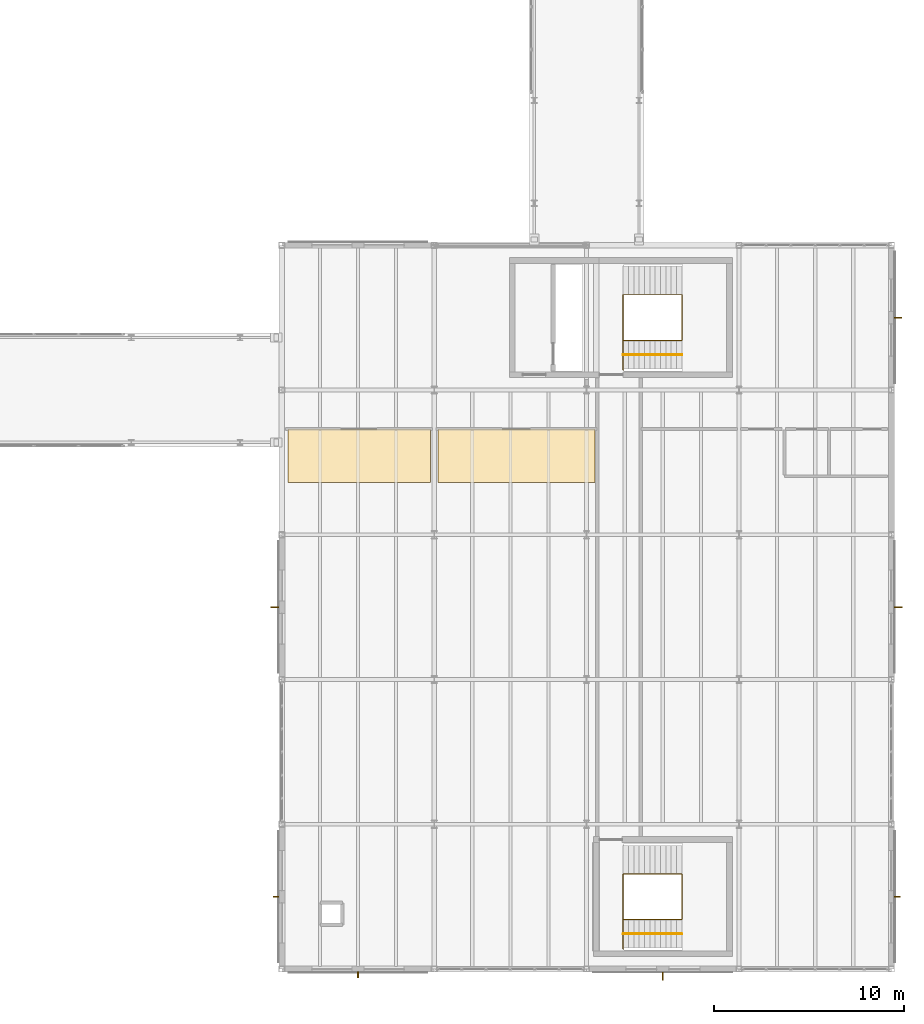
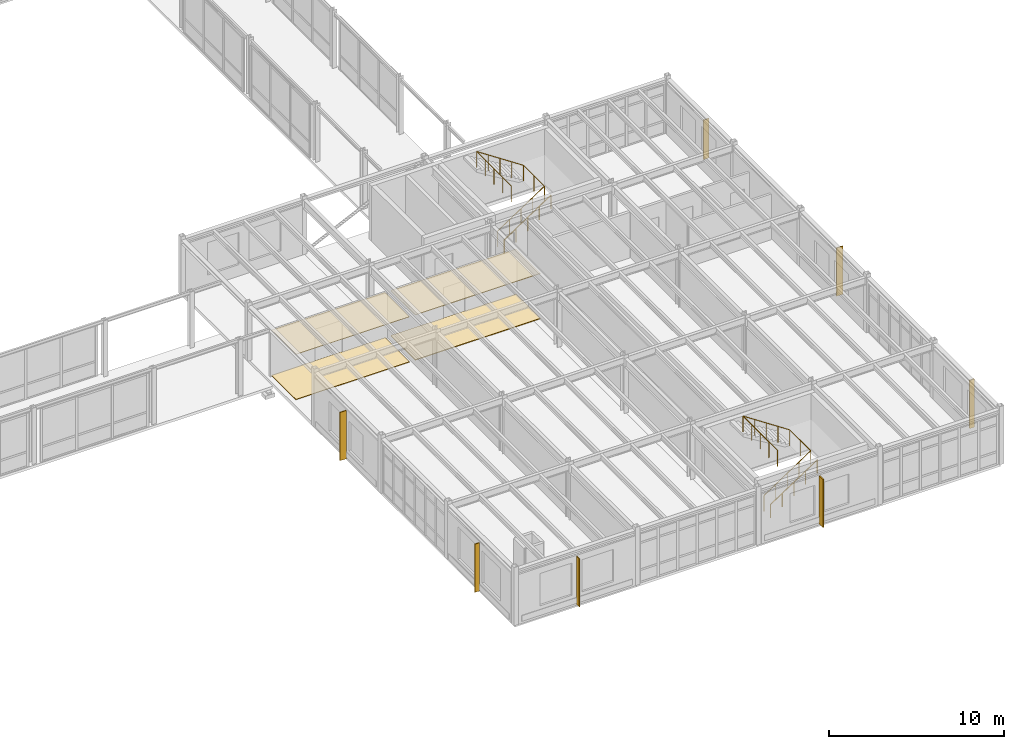
# One storey, part 163 of 165: 7 shading devices, 4 coverings, 4 railings.
"""IFC4 building model written with IfcOpenShell, lengths in metres."""

from ifc_helpers import new_model, si_unit, direction, frame, origin, origin_2d, place, context, subcontext, project, spatial, polyline, rectangle, circle, outline, extrude, material, layer, layer_set, type_object, element, save


model = new_model("IFC4")

# Units and contexts
model_context = context("Model", 3, precision=1e-05, world=origin(), true_north=direction((0.0, 1.0)))
body_context = subcontext(model_context, "Body", "Model", "MODEL_VIEW")
ifc_project = project(units=[si_unit("LENGTHUNIT", "METRE"), si_unit("AREAUNIT", "SQUARE_METRE"), si_unit("VOLUMEUNIT", "CUBIC_METRE"), si_unit("PLANEANGLEUNIT", "RADIAN"), si_unit("MASSUNIT", "GRAM", prefix="KILO")], contexts=[model_context])

# Site, building, storey
site_placement = place(None, origin())
site = spatial("IfcSite", under=ifc_project, at=site_placement, CompositionType="ELEMENT")
building_placement = place(site_placement, origin())
building = spatial("IfcBuilding", under=site, at=building_placement, Name="Montecoro Central Library", CompositionType="ELEMENT")
storey_placement = place(building_placement, frame((0.0, 0.0, 5.10009765625)))
storey = spatial("IfcBuildingStorey", under=building, at=storey_placement, Name="L01", CompositionType="ELEMENT", Elevation=5.10009765625)

# Coverings
ifc_material_1 = material(Name="Acoustic perforated mineral ceiling")
ifc_layer_1 = layer(ifc_material_1, 0.031982421875)
ifc_layer_set_1 = layer_set([ifc_layer_1], Name="Acoustic perforated mineral ceiling")
covering_type_1 = type_object("IfcCoveringType", Name="COV-CLG-02", PredefinedType="CEILING", material=ifc_layer_set_1)
covering_1_placement = place(storey_placement, frame((0.0, 0.0, 3.14794921875)))
element("IfcCovering", 1, at=covering_1_placement, inside=storey, type_object=covering_type_1, Name="CLG-SP-V6-L01-R1P1", PredefinedType="CEILING", context=body_context, shape_type="SweptSolid", body=[
    extrude(outline(polyline([(141.320068359375, 30.550048828125), (148.81005859375, 30.550048828125), (148.81005859375, 33.35009765625), (141.320068359375, 33.35009765625), (141.320068359375, 30.550048828125)])), origin(), (0.0, 0.0, 1.0), 0.031982421875),
])
ifc_layer_2 = layer(ifc_material_1, 0.0400390625)
ifc_layer_set_2 = layer_set([ifc_layer_2], Name="Acoustic perforated mineral ceiling")
covering_type_2 = type_object("IfcCoveringType", Name="COV-CLG-03", PredefinedType="CEILING", material=ifc_layer_set_2)
covering_2_placement = place(storey_placement, frame((0.0, 0.0, 3.139892578125)))
element("IfcCovering", 2, at=covering_2_placement, inside=storey, type_object=covering_type_2, Name="CLG-SP-V6-L01-R2P1", PredefinedType="CEILING", context=body_context, shape_type="SweptSolid", body=[
    extrude(outline(polyline([(149.18994140625, 30.550048828125), (157.449951171875, 30.550048828125), (157.449951171875, 33.35009765625), (149.18994140625, 33.35009765625), (149.18994140625, 30.550048828125)])), origin(), (0.0, 0.0, 1.0), 0.0400390625),
])
ifc_material_2 = material(Name="Neapolitan brass-inlaid terrazzo flooring")
ifc_layer_3 = layer(ifc_material_2, 0.035888671875)
ifc_layer_set_3 = layer_set([ifc_layer_3], Name="Neapolitan brass-inlaid terrazzo flooring")
covering_type_3 = type_object("IfcCoveringType", Name="COV-FLR-02", PredefinedType="FLOORING", material=ifc_layer_set_3)
covering_3_placement = place(storey_placement, origin())
element("IfcCovering", 3, at=covering_3_placement, inside=storey, type_object=covering_type_3, Name="FLR-SP-V6-L01-R1P1", PredefinedType="FLOORING", context=body_context, shape_type="SweptSolid", body=[
    extrude(outline(polyline([(141.320068359375, 30.550048828125), (148.81005859375, 30.550048828125), (148.81005859375, 33.35009765625), (141.320068359375, 33.35009765625), (141.320068359375, 30.550048828125)])), origin(), (0.0, 0.0, 1.0), 0.035888671875),
])
ifc_layer_4 = layer(ifc_material_2, 0.0439453125)
ifc_layer_set_4 = layer_set([ifc_layer_4], Name="Neapolitan brass-inlaid terrazzo flooring")
covering_type_4 = type_object("IfcCoveringType", Name="COV-FLR-03", PredefinedType="FLOORING", material=ifc_layer_set_4)
covering_4_placement = place(storey_placement, origin())
element("IfcCovering", 4, at=covering_4_placement, inside=storey, type_object=covering_type_4, Name="FLR-SP-V6-L01-R2P1", PredefinedType="FLOORING", context=body_context, shape_type="SweptSolid", body=[
    extrude(outline(polyline([(149.18994140625, 30.550048828125), (157.449951171875, 30.550048828125), (157.449951171875, 33.35009765625), (149.18994140625, 33.35009765625), (149.18994140625, 30.550048828125)])), origin(), (0.0, 0.0, 1.0), 0.0439453125),
])

# Railings
ifc_material_3 = material(Name="Brushed stainless steel and bronze balustrade", Category="steel")
railing_type_1 = type_object("IfcRailingType", Name="GRD-INT-110", PredefinedType="GUARDRAIL", material=ifc_material_3)
railing_1_placement = place(storey_placement, frame((158.919921875, 38.0, 0.0)))
element("IfcRailing", 5, at=railing_1_placement, inside=storey, type_object=railing_type_1, Name="C7-L01-STR-GRD", PredefinedType="GUARDRAIL", context=body_context, shape_type="SweptSolid", body=[
    extrude(circle(Radius=0.02392578125, at=origin_2d()), frame((0.0, 0.0, 1.09619140625), z_axis=(0.833744305047, 0.0, 0.552150734675), x_axis=(0.0, 1.0, 0.0)), (0.0, 0.0, 1.0), 3.6943359375),
    extrude(circle(Radius=0.02392578125, at=origin_2d()), frame((3.080078125, 0.0, 3.1357421875), z_axis=(0.0, 1.0, 0.0), x_axis=(-1.0, 0.0, 0.0)), (0.0, 0.0, 1.0), 2.39990234375),
    extrude(circle(Radius=0.02392578125, at=origin_2d()), frame((3.080078125, 2.39990234375, 3.1357421875), z_axis=(-0.833713881912, 0.0, 0.552196670677), x_axis=(0.0, -1.0, 0.0)), (0.0, 0.0, 1.0), 3.6943359375),
    extrude(circle(Radius=0.02392578125, at=origin_2d()), frame((0.0, 2.39990234375, 5.17578125), z_axis=(0.0, -1.0, 0.0), x_axis=(1.0, 0.0, 0.0)), (0.0, 0.0, 1.0), 3.949951171875),
    extrude(circle(Radius=0.02099609375, at=origin_2d()), origin(), (0.0, 0.0, 1.0), 1.072021484375),
    extrude(circle(Radius=0.02099609375, at=origin_2d()), frame((0.77001953125, 0.0, 0.510009765625)), (0.0, 0.0, 1.0), 1.072021484375),
    extrude(circle(Radius=0.02099609375, at=origin_2d()), frame((1.5400390625, 0.0, 1.02001953125)), (0.0, 0.0, 1.0), 1.072021484375),
    extrude(circle(Radius=0.02099609375, at=origin_2d()), frame((2.31005859375, 0.0, 1.52978515625)), (0.0, 0.0, 1.0), 1.072021484375),
    extrude(circle(Radius=0.02099609375, at=origin_2d()), frame((3.080078125, 0.0, 2.039794921875)), (0.0, 0.0, 1.0), 1.072021484375),
    extrude(circle(Radius=0.02099609375, at=origin_2d()), frame((3.080078125, 1.199951171875, 2.039794921875)), (0.0, 0.0, 1.0), 1.072021484375),
    extrude(circle(Radius=0.02099609375, at=origin_2d()), frame((3.080078125, 2.39990234375, 2.039794921875)), (0.0, 0.0, 1.0), 1.072021484375),
    extrude(circle(Radius=0.02099609375, at=origin_2d()), frame((2.31005859375, 2.39990234375, 2.5498046875)), (0.0, 0.0, 1.0), 1.072021484375),
    extrude(circle(Radius=0.02099609375, at=origin_2d()), frame((1.5400390625, 2.39990234375, 3.059814453125)), (0.0, 0.0, 1.0), 1.072021484375),
    extrude(circle(Radius=0.02099609375, at=origin_2d()), frame((0.77001953125, 2.39990234375, 3.56982421875)), (0.0, 0.0, 1.0), 1.072021484375),
    extrude(circle(Radius=0.02099609375, at=origin_2d()), frame((0.0, 2.39990234375, 4.079833984375)), (0.0, 0.0, 1.0), 1.072021484375),
    extrude(circle(Radius=0.02099609375, at=origin_2d()), frame((0.0, 1.412353515625, 4.079833984375)), (0.0, 0.0, 1.0), 1.072021484375),
    extrude(circle(Radius=0.02099609375, at=origin_2d()), frame((0.0, 0.4248046875, 4.079833984375)), (0.0, 0.0, 1.0), 1.072021484375),
    extrude(circle(Radius=0.02099609375, at=origin_2d()), frame((0.0, -0.5625, 4.079833984375)), (0.0, 0.0, 1.0), 1.072021484375),
    extrude(circle(Radius=0.02099609375, at=origin_2d()), frame((0.0, -1.550048828125, 4.079833984375)), (0.0, 0.0, 1.0), 1.072021484375),
])
railing_2_placement = place(storey_placement, frame((158.919921875, 7.60009765625, 0.0)))
element("IfcRailing", 6, at=railing_2_placement, inside=storey, type_object=railing_type_1, Name="C10-L01-STR-GRD", PredefinedType="GUARDRAIL", context=body_context, shape_type="SweptSolid", body=[
    extrude(circle(Radius=0.02392578125, at=origin_2d()), frame((0.0, 0.0, 1.09619140625), z_axis=(0.833744305047, 0.0, 0.552150734675), x_axis=(0.0, 1.0, 0.0)), (0.0, 0.0, 1.0), 3.6943359375),
    extrude(circle(Radius=0.02392578125, at=origin_2d()), frame((3.080078125, 0.0, 3.1357421875), z_axis=(0.0, 1.0, 0.0), x_axis=(-1.0, 0.0, 0.0)), (0.0, 0.0, 1.0), 2.39990234375),
    extrude(circle(Radius=0.02392578125, at=origin_2d()), frame((3.080078125, 2.39990234375, 3.1357421875), z_axis=(-0.833713881912, 0.0, 0.552196670677), x_axis=(0.0, -1.0, 0.0)), (0.0, 0.0, 1.0), 3.6943359375),
    extrude(circle(Radius=0.02392578125, at=origin_2d()), frame((0.0, 2.39990234375, 5.17578125), z_axis=(0.0, -1.0, 0.0), x_axis=(1.0, 0.0, 0.0)), (0.0, 0.0, 1.0), 3.949951171875),
    extrude(circle(Radius=0.02099609375, at=origin_2d()), origin(), (0.0, 0.0, 1.0), 1.072021484375),
    extrude(circle(Radius=0.02099609375, at=origin_2d()), frame((0.77001953125, 0.0, 0.510009765625)), (0.0, 0.0, 1.0), 1.072021484375),
    extrude(circle(Radius=0.02099609375, at=origin_2d()), frame((1.5400390625, 0.0, 1.02001953125)), (0.0, 0.0, 1.0), 1.072021484375),
    extrude(circle(Radius=0.02099609375, at=origin_2d()), frame((2.31005859375, 0.0, 1.52978515625)), (0.0, 0.0, 1.0), 1.072021484375),
    extrude(circle(Radius=0.02099609375, at=origin_2d()), frame((3.080078125, 0.0, 2.039794921875)), (0.0, 0.0, 1.0), 1.072021484375),
    extrude(circle(Radius=0.02099609375, at=origin_2d()), frame((3.080078125, 1.199951171875, 2.039794921875)), (0.0, 0.0, 1.0), 1.072021484375),
    extrude(circle(Radius=0.02099609375, at=origin_2d()), frame((3.080078125, 2.39990234375, 2.039794921875)), (0.0, 0.0, 1.0), 1.072021484375),
    extrude(circle(Radius=0.02099609375, at=origin_2d()), frame((2.31005859375, 2.39990234375, 2.5498046875)), (0.0, 0.0, 1.0), 1.072021484375),
    extrude(circle(Radius=0.02099609375, at=origin_2d()), frame((1.5400390625, 2.39990234375, 3.059814453125)), (0.0, 0.0, 1.0), 1.072021484375),
    extrude(circle(Radius=0.02099609375, at=origin_2d()), frame((0.77001953125, 2.39990234375, 3.56982421875)), (0.0, 0.0, 1.0), 1.072021484375),
    extrude(circle(Radius=0.02099609375, at=origin_2d()), frame((0.0, 2.39990234375, 4.079833984375)), (0.0, 0.0, 1.0), 1.072021484375),
    extrude(circle(Radius=0.02099609375, at=origin_2d()), frame((0.0, 1.412353515625, 4.079833984375)), (0.0, 0.0, 1.0), 1.072021484375),
    extrude(circle(Radius=0.02099609375, at=origin_2d()), frame((0.0, 0.4248046875, 4.079833984375)), (0.0, 0.0, 1.0), 1.072021484375),
    extrude(circle(Radius=0.02099609375, at=origin_2d()), frame((0.0, -0.5625, 4.079833984375)), (0.0, 0.0, 1.0), 1.072021484375),
    extrude(circle(Radius=0.02099609375, at=origin_2d()), frame((0.0, -1.550048828125, 4.079833984375)), (0.0, 0.0, 1.0), 1.072021484375),
])
ifc_material_4 = material(Name="Brushed architectural bronze handrail")
railing_type_2 = type_object("IfcRailingType", Name="HRL-STR-095", PredefinedType="HANDRAIL", material=ifc_material_4)
for number, where, name in (
    (7, (158.919921875, 37.25, 0.0), "C7-L01-STR-HR1"),
    (8, (158.919921875, 6.85009765625, 0.0), "C10-L01-STR-HR1"),
):
    element("IfcRailing", number, at=place(storey_placement, frame(where)), inside=storey, type_object=railing_type_2, Name=name, PredefinedType="HANDRAIL", context=body_context, shape_type="SweptSolid", body=[
        extrude(circle(Radius=0.02392578125, at=origin_2d()), frame((0.0, 0.0, 0.92578125), z_axis=(0.833744305047, 0.0, 0.552150734675), x_axis=(0.0, 1.0, 0.0)), (0.0, 0.0, 1.0), 3.6943359375),
        extrude(circle(Radius=0.02099609375, at=origin_2d()), origin(), (0.0, 0.0, 1.0), 0.90185546875),
        extrude(circle(Radius=0.02099609375, at=origin_2d()), frame((0.77001953125, 0.0, 0.510009765625)), (0.0, 0.0, 1.0), 0.90185546875),
        extrude(circle(Radius=0.02099609375, at=origin_2d()), frame((1.5400390625, 0.0, 1.02001953125)), (0.0, 0.0, 1.0), 0.90185546875),
        extrude(circle(Radius=0.02099609375, at=origin_2d()), frame((2.31005859375, 0.0, 1.52978515625)), (0.0, 0.0, 1.0), 0.90185546875),
        extrude(circle(Radius=0.02099609375, at=origin_2d()), frame((3.080078125, 0.0, 2.039794921875)), (0.0, 0.0, 1.0), 0.90185546875),
    ])

# Shading devices
ifc_material_5 = material(Name="Architectural bronze solar fin", Category="aluminium")
shading_device_type_1 = type_object("IfcShadingDeviceType", Name="SHD-FIN-07", PredefinedType="USERDEFINED", material=ifc_material_5)
for number, where, z_axis, x_axis, name in (
    (9, (145.0, 4.697021484375, 0.06005859375), (0.0, 0.0, 1.0), (1.0, 0.0, 0.0), "V6-L01-FIN-S0"),
    (10, (173.302978515625, 8.800048828125, 0.06005859375), (0.0, 0.0, 1.0), (0.0, 1.0, 0.0), "V6-L01-FIN-E0"),
    (11, (140.697021484375, 8.800048828125, 0.06005859375), (0.0, 0.0, 1.0), (0.0, -1.0, 0.0), "V6-L01-FIN-W0"),
):
    element("IfcShadingDevice", number, at=place(storey_placement, frame(where, z_axis=z_axis, x_axis=x_axis)), inside=storey, type_object=shading_device_type_1, Name=name, ObjectType="SOLAR FIN", PredefinedType="USERDEFINED", context=body_context, shape_type="SweptSolid", body=[
        extrude(rectangle(XDim=0.06005859375, YDim=0.300048828125, at=origin_2d()), origin(), (0.0, 0.0, 1.0), 3.360107421875),
    ])
shading_device_type_2 = type_object("IfcShadingDeviceType", Name="SHD-FIN-09", PredefinedType="USERDEFINED", material=ifc_material_5)
for number, where, z_axis, x_axis, name in (
    (12, (161.0, 4.636962890625, 0.06005859375), (0.0, 0.0, 1.0), (1.0, 0.0, 0.0), "V6-L01-FIN-S2"),
    (13, (173.363037109375, 24.0, 0.06005859375), (0.0, 0.0, 1.0), (0.0, 1.0, 0.0), "V6-L01-FIN-E2"),
    (14, (140.636962890625, 24.0, 0.06005859375), (0.0, 0.0, 1.0), (0.0, -1.0, 0.0), "V6-L01-FIN-W2"),
):
    element("IfcShadingDevice", number, at=place(storey_placement, frame(where, z_axis=z_axis, x_axis=x_axis)), inside=storey, type_object=shading_device_type_2, Name=name, ObjectType="SOLAR FIN", PredefinedType="USERDEFINED", context=body_context, shape_type="SweptSolid", body=[
        extrude(rectangle(XDim=0.06005859375, YDim=0.419921875, at=origin_2d()), origin(), (0.0, 0.0, 1.0), 3.360107421875),
    ])
shading_device_type_3 = type_object("IfcShadingDeviceType", Name="SHD-FIN-11", PredefinedType="USERDEFINED", material=ifc_material_5)
shading_device_placement = place(storey_placement, frame((173.343017578125, 39.199951171875, 0.364990234375), z_axis=(0.0, 0.0, 1.0), x_axis=(0.0, 1.0, 0.0)))
element("IfcShadingDevice", 15, at=shading_device_placement, inside=storey, type_object=shading_device_type_3, Name="V6-L01-FIN-E4", ObjectType="SOLAR FIN", PredefinedType="USERDEFINED", context=body_context, shape_type="SweptSolid", body=[
    extrude(rectangle(XDim=0.06005859375, YDim=0.3798828125, at=origin_2d()), origin(), (0.0, 0.0, 1.0), 2.75),
])

save(model, "model.ifc")
